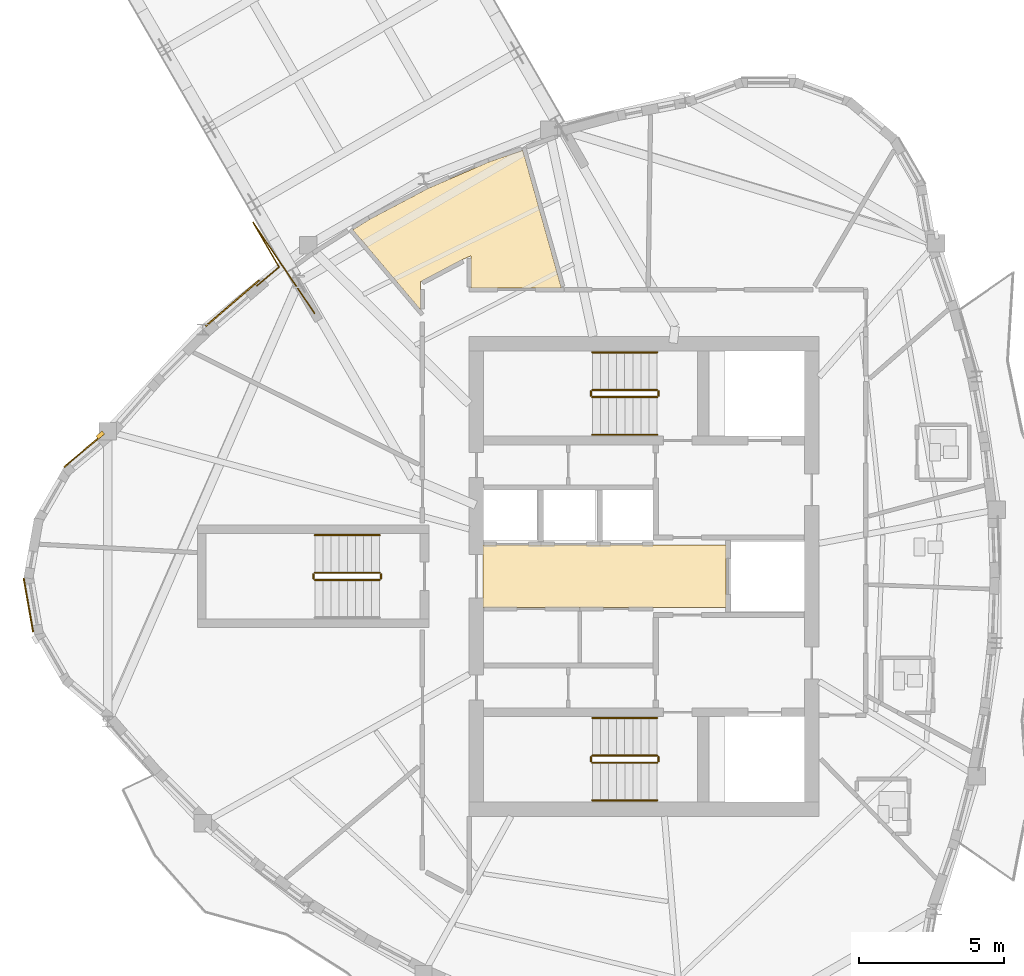
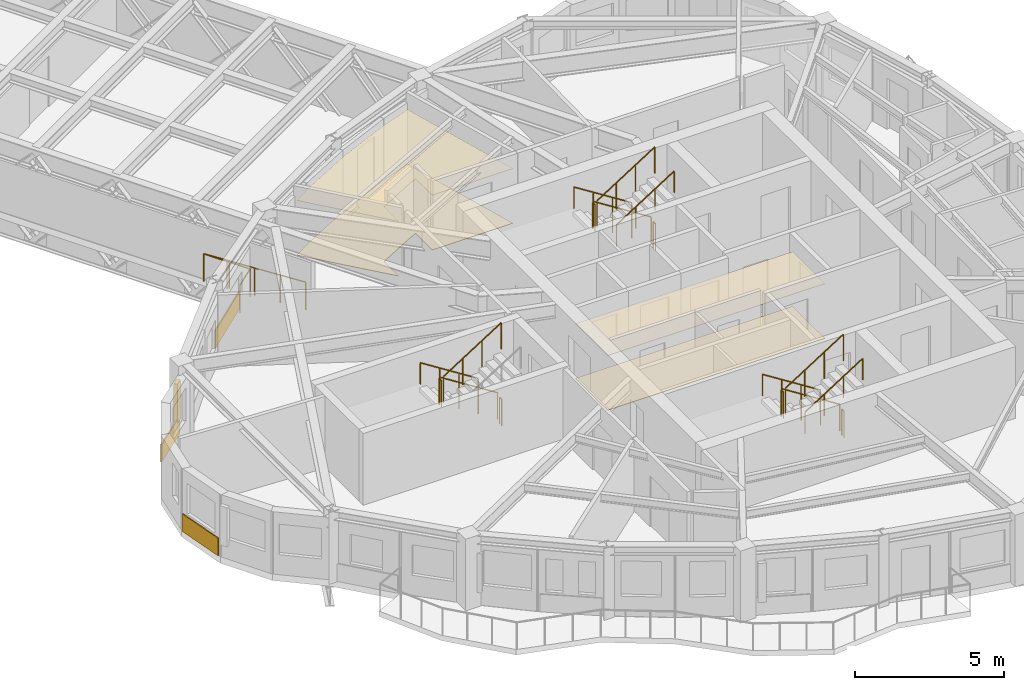
# One storey, part 12 of 14: 18 railings, 7 coverings, 1 shading device.
"""IFC4 building model written with IfcOpenShell, lengths in metres."""

from ifc_helpers import new_model, si_unit, direction, frame, origin, origin_2d, place, context, subcontext, project, spatial, polyline, rectangle, circle, outline, extrude, source, transform, mapped, material, layer, layer_set, type_object, element, save


model = new_model("IFC4")

# Units and contexts
model_context = context("Model", 3, precision=1e-05, world=origin(), true_north=direction((0.0, 1.0)))
body_context = subcontext(model_context, "Body", "Model", "MODEL_VIEW")
ifc_project = project(units=[si_unit("LENGTHUNIT", "METRE"), si_unit("AREAUNIT", "SQUARE_METRE"), si_unit("VOLUMEUNIT", "CUBIC_METRE"), si_unit("PLANEANGLEUNIT", "RADIAN"), si_unit("MASSUNIT", "GRAM", prefix="KILO")], contexts=[model_context])

# Site, building, storey
site_placement = place(None, origin())
site = spatial("IfcSite", under=ifc_project, at=site_placement, CompositionType="ELEMENT")
building_placement = place(site_placement, origin())
building = spatial("IfcBuilding", under=site, at=building_placement, Name="Qafzar Sky-Pleat Residences", CompositionType="ELEMENT")
storey_placement = place(building_placement, frame((0.0, 0.0, 205.199951171875)))
storey = spatial("IfcBuildingStorey", under=building, at=storey_placement, Name="L61", CompositionType="ELEMENT", Elevation=205.199951171875)

# Coverings
ifc_material_1 = material(Name="Perforated acoustic gypsum board ceiling")
ifc_layer_1 = layer(ifc_material_1, 0.02001953125)
ifc_layer_set_1 = layer_set([ifc_layer_1], Name="Perforated acoustic gypsum board ceiling")
covering_type_1 = type_object("IfcCoveringType", Name="COV-CEIL-ACOUSTIC", PredefinedType="CEILING", material=ifc_layer_set_1)
covering_1_placement = place(storey_placement, frame((0.0, 0.0, 2.239990234375)))
element("IfcCovering", 1, at=covering_1_placement, inside=storey, type_object=covering_type_1, Name="L61 Passenger Lift Lobby Acoustic Ceiling", PredefinedType="CEILING", context=body_context, shape_type="SweptSolid", body=[
    extrude(outline(polyline([(33.179931640625, 24.919921875), (24.77001953125, 24.919921875), (24.77001953125, 27.080078125), (33.179931640625, 27.080078125), (33.179931640625, 24.919921875)])), origin(), (0.0, 0.0, 1.0), 0.02001953125),
])
covering_2_placement = place(storey_placement, frame((0.0, 0.0, 2.239990234375)))
element("IfcCovering", 2, at=covering_2_placement, inside=storey, type_object=covering_type_1, Name="L61 Co-Living Lounge Acoustic Ceiling", PredefinedType="CEILING", context=body_context, shape_type="SweptSolid", body=[
    extrude(outline(polyline([(20.8642578125, 38.359619140625), (22.879150390625, 39.4228515625), (24.980712890625, 40.33642578125), (26.15185546875, 40.745361328125), (27.48828125, 35.97998046875), (24.360107421875, 35.97998046875), (24.360107421875, 37.08984375), (24.06201171875, 36.960205078125), (22.6201171875, 36.19921875), (22.6201171875, 35.21875), (20.274169921875, 37.98828125), (20.8642578125, 38.359619140625)])), origin(), (0.0, 0.0, 1.0), 0.02001953125),
])
ifc_material_2 = material(Name="Honed porcelain and Riyadh stone tile flooring", Category="masonry")
ifc_layer_2 = layer(ifc_material_2, 0.02001953125)
ifc_layer_set_2 = layer_set([ifc_layer_2], Name="Honed porcelain and Riyadh stone tile flooring")
covering_type_2 = type_object("IfcCoveringType", Name="COV-FLR-PORCELAIN", PredefinedType="FLOORING", material=ifc_layer_set_2)
covering_3_placement = place(storey_placement, origin())
element("IfcCovering", 3, at=covering_3_placement, inside=storey, type_object=covering_type_2, Name="L61 Passenger Lift Lobby Honed Stone Flooring", PredefinedType="FLOORING", context=body_context, shape_type="SweptSolid", body=[
    extrude(outline(polyline([(33.179931640625, 24.919921875), (24.77001953125, 24.919921875), (24.77001953125, 27.080078125), (33.179931640625, 27.080078125), (33.179931640625, 24.919921875)])), origin(), (0.0, 0.0, 1.0), 0.02001953125),
])
covering_4_placement = place(storey_placement, origin())
element("IfcCovering", 4, at=covering_4_placement, inside=storey, type_object=covering_type_2, Name="L61 Co-Living Lounge Honed Stone Flooring", PredefinedType="FLOORING", context=body_context, shape_type="SweptSolid", body=[
    extrude(outline(polyline([(20.8642578125, 38.359619140625), (22.879150390625, 39.4228515625), (24.980712890625, 40.33642578125), (26.15185546875, 40.745361328125), (27.48828125, 35.97998046875), (24.360107421875, 35.97998046875), (24.360107421875, 37.08984375), (24.06201171875, 36.960205078125), (22.6201171875, 36.19921875), (22.6201171875, 35.21875), (20.274169921875, 37.98828125), (20.8642578125, 38.359619140625)])), origin(), (0.0, 0.0, 1.0), 0.02001953125),
])

# Shading device
ifc_material_3 = material(Name="Honed Riyadh limestone solar fin", Category="masonry")
ifc_layer_3 = layer(ifc_material_3, 0.139892578125)
ifc_layer_set_3 = layer_set([ifc_layer_3], Name="Honed Riyadh limestone solar fin")
shading_device_type = type_object("IfcShadingDeviceType", Name="SHD-FIN-STONE", PredefinedType="SHUTTER", material=ifc_layer_set_3)
shared_shape_1 = source(origin(), body_context, "Body", "SweptSolid", [
    extrude(rectangle(XDim=0.139892578125, YDim=0.280029296875, at=origin_2d()), origin(), (0.0, 0.0, 1.0), 1.60009765625),
])
shading_device_placement = place(storey_placement, frame((11.533935546875, 30.888916015625, 0.60009765625), z_axis=(0.0, 0.0, 1.0), x_axis=(-0.642754210861, 0.76607246682, 0.0)))
element("IfcShadingDevice", 5, at=shading_device_placement, inside=storey, type_object=shading_device_type, Name="L61 Limestone Solar Fin 1", PredefinedType="SHUTTER", context=body_context, shape_type="MappedRepresentation", body=[
    mapped(shared_shape_1, transform((0.0, 0.0, 0.0), x_axis=(1.0, 0.0, 0.0), y_axis=(0.0, 1.0, 0.0), z_axis=(0.0, 0.0, 1.0), scale=1.0)),
])

# Coverings
ifc_material_4 = material(Name="Honed Riyadh Tuwaiq limestone cladding", Category="masonry")
ifc_layer_4 = layer(ifc_material_4, 0.044921875)
ifc_layer_set_4 = layer_set([ifc_layer_4], Name="Honed Riyadh Tuwaiq limestone cladding")
covering_type_3 = type_object("IfcCoveringType", Name="COV-CLAD-STONE", PredefinedType="CLADDING", material=ifc_layer_set_4)
shared_shape_2 = source(origin(), body_context, "Body", "SweptSolid", [
    extrude(rectangle(XDim=1.88134765625, YDim=0.044921875, at=origin_2d()), origin(), (0.0, 0.0, 1.0), 0.719970703125),
])
covering_5_placement = place(storey_placement, frame((9.04833984375, 25.00439453125, 0.02001953125), z_axis=(0.0, 0.0, 1.0), x_axis=(0.173662519465, -0.984805224059, 0.0)))
element("IfcCovering", 6, at=covering_5_placement, inside=storey, type_object=covering_type_3, Name="L61 Riyadh Limestone Spandrel Cladding 4", PredefinedType="CLADDING", context=body_context, shape_type="MappedRepresentation", body=[
    mapped(shared_shape_2, transform((0.0, 0.0, 0.0), x_axis=(1.0, 0.0, 0.0), y_axis=(0.0, 1.0, 0.0), z_axis=(0.0, 0.0, 1.0), scale=1.0)),
])
shared_shape_3 = source(origin(), body_context, "Body", "SweptSolid", [
    extrude(rectangle(XDim=1.76611328125, YDim=0.044921875, at=origin_2d()), origin(), (0.0, 0.0, 1.0), 0.719970703125),
])
covering_6_placement = place(storey_placement, frame((10.960205078125, 30.351318359375, 0.02001953125), z_axis=(0.0, 0.0, 1.0), x_axis=(-0.76607417096, -0.642752179762, 0.0)))
element("IfcCovering", 7, at=covering_6_placement, inside=storey, type_object=covering_type_3, Name="L61 Riyadh Limestone Spandrel Cladding 1", PredefinedType="CLADDING", context=body_context, shape_type="MappedRepresentation", body=[
    mapped(shared_shape_3, transform((0.0, 0.0, 0.0), x_axis=(1.0, 0.0, 0.0), y_axis=(0.0, 1.0, 0.0), z_axis=(0.0, 0.0, 1.0), scale=1.0)),
])
shared_shape_4 = source(origin(), body_context, "Body", "SweptSolid", [
    extrude(rectangle(XDim=2.435302734375, YDim=0.044921875, at=origin_2d()), origin(), (0.0, 0.0, 1.0), 0.719970703125),
])
covering_7_placement = place(storey_placement, frame((16.111572265625, 35.453857421875, 0.02001953125), z_axis=(0.0, 0.0, 1.0), x_axis=(-0.757500711769, -0.652834337078, 0.0)))
element("IfcCovering", 8, at=covering_7_placement, inside=storey, type_object=covering_type_3, Name="L61 Riyadh Limestone Spandrel Cladding 46", PredefinedType="CLADDING", context=body_context, shape_type="MappedRepresentation", body=[
    mapped(shared_shape_4, transform((0.0, 0.0, 0.0), x_axis=(1.0, 0.0, 0.0), y_axis=(0.0, 1.0, 0.0), z_axis=(0.0, 0.0, 1.0), scale=1.0)),
])

# Railings
ifc_material_5 = material(Name="Galvanised and bronze-coated Steel S355 guardrail", Category="steel")
railing_type_1 = type_object("IfcRailingType", Name="RAIL-EXT-1150", PredefinedType="GUARDRAIL", material=ifc_material_5)
shared_shape_5 = source(origin(), body_context, "Body", "SweptSolid", [
    extrude(circle(Radius=0.02392578125, at=origin_2d()), frame((0.0, 0.0, 1.1259765625), z_axis=(0.764194446789, 0.644985928139, 0.0), x_axis=(-0.644985928139, 0.764194446789, 0.0)), (0.0, 0.0, 1.0), 1.007568359375),
    extrude(circle(Radius=0.02392578125, at=origin_2d()), frame((0.77001953125, 0.64990234375, 1.1259765625), z_axis=(-0.50208293911, 0.864819473795, 0.0), x_axis=(-0.864819473795, -0.50208293911, 0.0)), (0.0, 0.0, 1.0), 1.792236328125),
    extrude(circle(Radius=0.02392578125, at=origin_2d()), frame((-0.1298828125, 2.199951171875, 1.1259765625), z_axis=(0.560140932105, -0.828397329897, 0.0), x_axis=(0.828397329897, 0.560140932105, 0.0)), (0.0, 0.0, 1.0), 3.802490234375),
    extrude(circle(Radius=0.02099609375, at=origin_2d()), origin(), (0.0, 0.0, 1.0), 1.101806640625),
    extrude(circle(Radius=0.02099609375, at=origin_2d()), frame((0.77001953125, 0.64990234375, 0.0)), (0.0, 0.0, 1.0), 1.101806640625),
    extrude(circle(Radius=0.02099609375, at=origin_2d()), frame((0.320068359375, 1.4248046875, 0.0)), (0.0, 0.0, 1.0), 1.101806640625),
    extrude(circle(Radius=0.02099609375, at=origin_2d()), frame((-0.1298828125, 2.199951171875, 0.0)), (0.0, 0.0, 1.0), 1.101806640625),
    extrude(circle(Radius=0.02099609375, at=origin_2d()), frame((0.402587890625, 1.41259765625, 0.0)), (0.0, 0.0, 1.0), 1.101806640625),
    extrude(circle(Radius=0.02099609375, at=origin_2d()), frame((0.93505859375, 0.625, 0.0)), (0.0, 0.0, 1.0), 1.101806640625),
    extrude(circle(Radius=0.02099609375, at=origin_2d()), frame((1.467529296875, -0.16259765625, 0.0)), (0.0, 0.0, 1.0), 1.101806640625),
    extrude(circle(Radius=0.02099609375, at=origin_2d()), frame((2.0, -0.949951171875, 0.0)), (0.0, 0.0, 1.0), 1.101806640625),
])
railing_placement = place(storey_placement, frame((16.949951171875, 36.050048828125, 0.0)))
element("IfcRailing", 9, at=railing_placement, inside=storey, type_object=railing_type_1, Name="L61 SB-5 Junction Perimeter Guardrail", PredefinedType="GUARDRAIL", context=body_context, shape_type="MappedRepresentation", body=[
    mapped(shared_shape_5, transform((0.0, 0.0, 0.0), x_axis=(1.0, 0.0, 0.0), y_axis=(0.0, 1.0, 0.0), z_axis=(0.0, 0.0, 1.0), scale=1.0)),
])
ifc_material_6 = material(Name="Painted Steel S355 stair guardrail", Category="steel")
railing_type_2 = type_object("IfcRailingType", Name="RAIL-STAIR-GUARD", PredefinedType="GUARDRAIL", material=ifc_material_6)
shared_shape_6 = source(origin(), body_context, "Body", "SweptSolid", [
    extrude(circle(Radius=0.02392578125, at=origin_2d()), frame((0.0, 0.0, 1.076171875), z_axis=(0.0, -1.0, 0.0), x_axis=(1.0, 0.0, 0.0)), (0.0, 0.0, 1.0), 0.14990234375),
    extrude(circle(Radius=0.02099609375, at=origin_2d()), origin(), (0.0, 0.0, 1.0), 1.052001953125),
    extrude(circle(Radius=0.02099609375, at=origin_2d()), frame((0.0, -0.14990234375, 0.0)), (0.0, 0.0, 1.0), 1.052001953125),
])
for number, where, name in (
    (10, (28.510009765625, 19.75, 1.60009765625), "L61 ST1 stair guard 2"),
    (11, (30.85009765625, 19.75, 0.0), "L61 ST1 stair guard 4"),
    (12, (28.510009765625, 32.39990234375, 1.60009765625), "L61 ST2 stair guard 2"),
    (13, (30.85009765625, 32.39990234375, 0.0), "L61 ST2 stair guard 4"),
    (14, (18.909912109375, 26.074951171875, 1.60009765625), "L61 ST3 stair guard 2"),
    (15, (21.25, 26.074951171875, 0.0), "L61 ST3 stair guard 4"),
):
    element("IfcRailing", number, at=place(storey_placement, frame(where)), inside=storey, type_object=railing_type_2, Name=name, PredefinedType="GUARDRAIL", context=body_context, shape_type="MappedRepresentation", body=[
        mapped(shared_shape_6, transform((0.0, 0.0, 0.0), x_axis=(1.0, 0.0, 0.0), y_axis=(0.0, 1.0, 0.0), z_axis=(0.0, 0.0, 1.0), scale=1.0)),
    ])
shared_shape_7 = source(origin(), body_context, "Body", "SweptSolid", [
    extrude(circle(Radius=0.02392578125, at=origin_2d()), frame((0.0, 0.0, 1.076171875), z_axis=(0.8442293374, 0.0, 0.53598211339), x_axis=(0.0, 1.0, 0.0)), (0.0, 0.0, 1.0), 2.6533203125),
    extrude(circle(Radius=0.02099609375, at=origin_2d()), origin(), (0.0, 0.0, 1.0), 1.052001953125),
    extrude(circle(Radius=0.02099609375, at=origin_2d()), frame((0.74658203125, 0.0, 0.47412109375)), (0.0, 0.0, 1.0), 1.052001953125),
    extrude(circle(Radius=0.02099609375, at=origin_2d()), frame((1.493408203125, 0.0, 0.947998046875)), (0.0, 0.0, 1.0), 1.052001953125),
    extrude(circle(Radius=0.02099609375, at=origin_2d()), frame((2.239990234375, 0.0, 1.422119140625)), (0.0, 0.0, 1.0), 1.052001953125),
])
for number, where, name in (
    (16, (28.56005859375, 19.550048828125, 1.77783203125), "L61 ST1 stair guard 3"),
    (17, (28.56005859375, 32.199951171875, 1.77783203125), "L61 ST2 stair guard 3"),
    (18, (18.9599609375, 25.875, 1.77783203125), "L61 ST3 stair guard 3"),
):
    element("IfcRailing", number, at=place(storey_placement, frame(where)), inside=storey, type_object=railing_type_2, Name=name, PredefinedType="GUARDRAIL", context=body_context, shape_type="MappedRepresentation", body=[
        mapped(shared_shape_7, transform((0.0, 0.0, 0.0), x_axis=(1.0, 0.0, 0.0), y_axis=(0.0, 1.0, 0.0), z_axis=(0.0, 0.0, 1.0), scale=1.0)),
    ])
ifc_material_7 = material(Name="Brushed stainless steel handrail", Category="steel")
railing_type_3 = type_object("IfcRailingType", Name="RAIL-STAIR-HAND", PredefinedType="HANDRAIL", material=ifc_material_7)
shared_shape_8 = source(origin(), body_context, "Body", "SweptSolid", [
    extrude(circle(Radius=0.02392578125, at=origin_2d()), frame((0.0, 0.0, 0.8759765625), z_axis=(0.8442293374, 0.0, 0.53598211339), x_axis=(0.0, 1.0, 0.0)), (0.0, 0.0, 1.0), 2.6533203125),
    extrude(circle(Radius=0.02099609375, at=origin_2d()), origin(), (0.0, 0.0, 1.0), 0.851806640625),
    extrude(circle(Radius=0.02099609375, at=origin_2d()), frame((0.74658203125, 0.0, 0.47412109375)), (0.0, 0.0, 1.0), 0.851806640625),
    extrude(circle(Radius=0.02099609375, at=origin_2d()), frame((1.493408203125, 0.0, 0.947998046875)), (0.0, 0.0, 1.0), 0.851806640625),
    extrude(circle(Radius=0.02099609375, at=origin_2d()), frame((2.239990234375, 0.0, 1.422119140625)), (0.0, 0.0, 1.0), 0.851806640625),
])
for number, where, name in (
    (19, (28.56005859375, 18.25, 1.77783203125), "L61 ST1 stair handrail 2"),
    (20, (28.56005859375, 30.89990234375, 1.77783203125), "L61 ST2 stair handrail 2"),
):
    element("IfcRailing", number, at=place(storey_placement, frame(where)), inside=storey, type_object=railing_type_3, Name=name, PredefinedType="HANDRAIL", context=body_context, shape_type="MappedRepresentation", body=[
        mapped(shared_shape_8, transform((0.0, 0.0, 0.0), x_axis=(1.0, 0.0, 0.0), y_axis=(0.0, 1.0, 0.0), z_axis=(0.0, 0.0, 1.0), scale=1.0)),
    ])
shared_shape_9 = source(origin(), body_context, "Body", "SweptSolid", [
    extrude(circle(Radius=0.02392578125, at=origin_2d()), frame((0.0, 0.0, 1.076171875), z_axis=(-0.84418770128, 0.0, 0.536047689118), x_axis=(0.0, -1.0, 0.0)), (0.0, 0.0, 1.0), 2.6533203125),
    extrude(circle(Radius=0.02099609375, at=origin_2d()), origin(), (0.0, 0.0, 1.0), 1.052001953125),
    extrude(circle(Radius=0.02099609375, at=origin_2d()), frame((-0.74658203125, 0.0, 0.47412109375)), (0.0, 0.0, 1.0), 1.052001953125),
    extrude(circle(Radius=0.02099609375, at=origin_2d()), frame((-1.493408203125, 0.0, 0.9482421875)), (0.0, 0.0, 1.0), 1.052001953125),
    extrude(circle(Radius=0.02099609375, at=origin_2d()), frame((-2.239990234375, 0.0, 1.42236328125)), (0.0, 0.0, 1.0), 1.052001953125),
])
for number, where, name in (
    (21, (30.800048828125, 19.800048828125, 0.177734375), "L61 ST1 stair guard 1"),
    (22, (30.800048828125, 32.449951171875, 0.177734375), "L61 ST2 stair guard 1"),
    (23, (21.199951171875, 26.125, 0.177734375), "L61 ST3 stair guard 1"),
):
    element("IfcRailing", number, at=place(storey_placement, frame(where)), inside=storey, type_object=railing_type_2, Name=name, PredefinedType="GUARDRAIL", context=body_context, shape_type="MappedRepresentation", body=[
        mapped(shared_shape_9, transform((0.0, 0.0, 0.0), x_axis=(1.0, 0.0, 0.0), y_axis=(0.0, 1.0, 0.0), z_axis=(0.0, 0.0, 1.0), scale=1.0)),
    ])
shared_shape_10 = source(origin(), body_context, "Body", "SweptSolid", [
    extrude(circle(Radius=0.02392578125, at=origin_2d()), frame((0.0, 0.0, 0.8759765625), z_axis=(-0.84418770128, 0.0, 0.536047689118), x_axis=(0.0, -1.0, 0.0)), (0.0, 0.0, 1.0), 2.6533203125),
    extrude(circle(Radius=0.02099609375, at=origin_2d()), origin(), (0.0, 0.0, 1.0), 0.851806640625),
    extrude(circle(Radius=0.02099609375, at=origin_2d()), frame((-0.74658203125, 0.0, 0.47412109375)), (0.0, 0.0, 1.0), 0.851806640625),
    extrude(circle(Radius=0.02099609375, at=origin_2d()), frame((-1.493408203125, 0.0, 0.9482421875)), (0.0, 0.0, 1.0), 0.851806640625),
    extrude(circle(Radius=0.02099609375, at=origin_2d()), frame((-2.239990234375, 0.0, 1.42236328125)), (0.0, 0.0, 1.0), 0.851806640625),
])
for number, where, name in (
    (24, (30.800048828125, 21.10009765625, 0.177734375), "L61 ST1 stair handrail 1"),
    (25, (30.800048828125, 33.75, 0.177734375), "L61 ST2 stair handrail 1"),
    (26, (21.199951171875, 27.425048828125, 0.177734375), "L61 ST3 stair handrail 1"),
):
    element("IfcRailing", number, at=place(storey_placement, frame(where)), inside=storey, type_object=railing_type_3, Name=name, PredefinedType="HANDRAIL", context=body_context, shape_type="MappedRepresentation", body=[
        mapped(shared_shape_10, transform((0.0, 0.0, 0.0), x_axis=(1.0, 0.0, 0.0), y_axis=(0.0, 1.0, 0.0), z_axis=(0.0, 0.0, 1.0), scale=1.0)),
    ])

save(model, "model.ifc")
